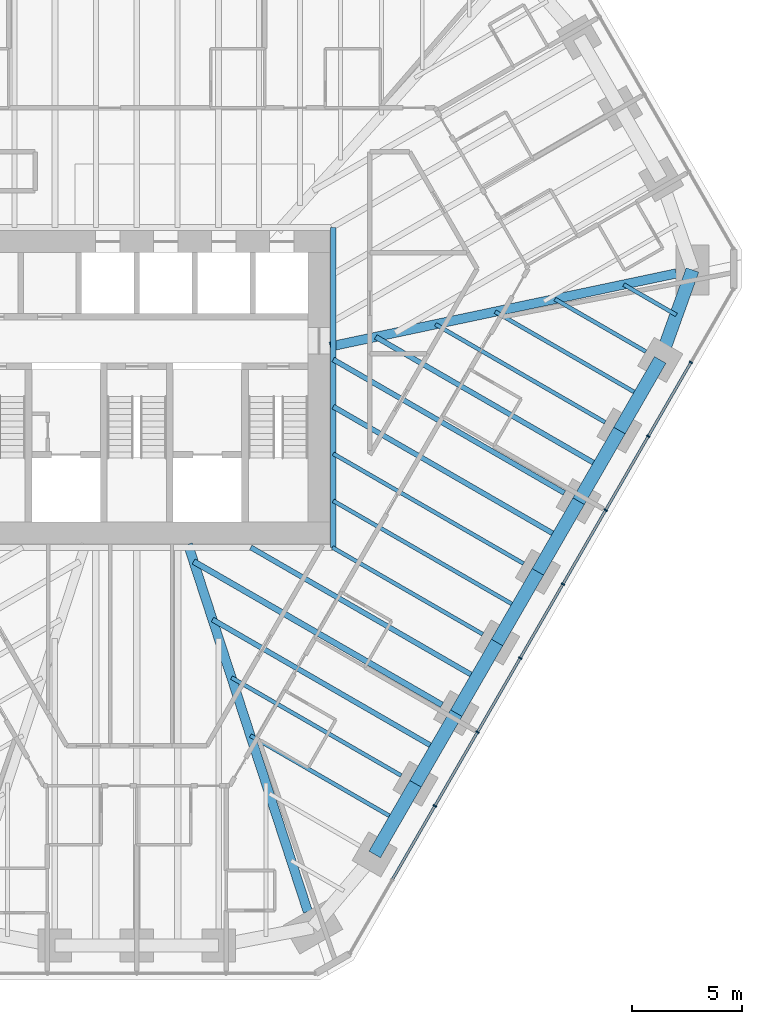
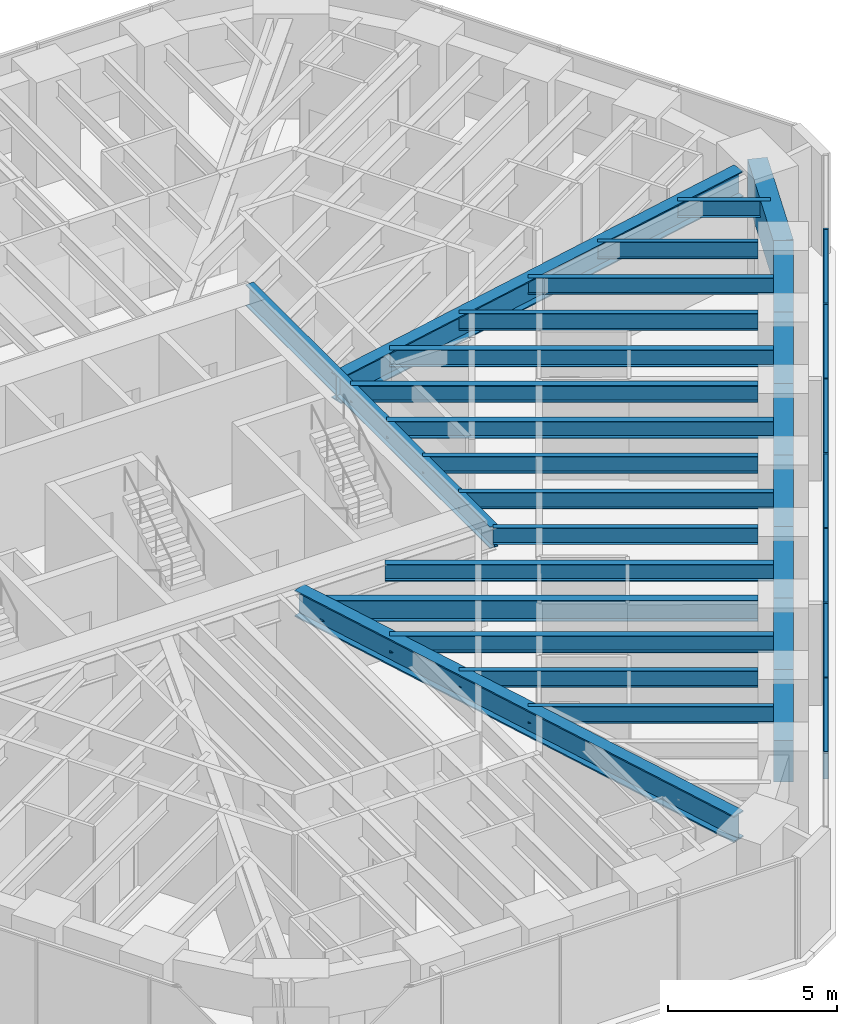
# One storey, part 5 of 17: 26 beams, 14 members, 1 element without a shape of its own.
"""IFC4 building model written with IfcOpenShell, lengths in metres."""

from ifc_helpers import new_model, si_unit, direction, frame, origin, origin_2d, place, context, subcontext, project, spatial, rectangle, i_section, extrude, material, material_profile, profile_set, type_object, element, aggregate, save


model = new_model("IFC4")

# Units and contexts
model_context = context("Model", 3, precision=1e-05, world=origin(), true_north=direction((0.0, 1.0)))
body_context = subcontext(model_context, "Body", "Model", "MODEL_VIEW")
ifc_project = project(units=[si_unit("LENGTHUNIT", "METRE"), si_unit("AREAUNIT", "SQUARE_METRE"), si_unit("VOLUMEUNIT", "CUBIC_METRE"), si_unit("PLANEANGLEUNIT", "RADIAN"), si_unit("MASSUNIT", "GRAM", prefix="KILO")], contexts=[model_context])

# Site, building, storey
site_placement = place(None, origin())
site = spatial("IfcSite", under=ifc_project, at=site_placement, CompositionType="ELEMENT")
building_placement = place(site_placement, origin())
building = spatial("IfcBuilding", under=site, at=building_placement, Name="Sandreach Pilgrim Tower", CompositionType="ELEMENT")
storey_placement = place(building_placement, frame((0.0, 0.0, 217.39990234375)))
storey = spatial("IfcBuildingStorey", under=building, at=storey_placement, Name="L54", CompositionType="ELEMENT", Elevation=217.39990234375)

# Curtain wall, members
ifc_material_1 = material(Name="Aluminium framed curtain wall", Category="aluminium")
curtain_wall_type = type_object("IfcCurtainWallType", Name="Upper hotel tower curtain wall", PredefinedType="NOTDEFINED", material=ifc_material_1)
curtain_wall_placement = place(storey_placement, origin())
curtain_wall = element("IfcCurtainWall", 1, at=curtain_wall_placement, inside=storey, type_object=curtain_wall_type, Name="CW-3 L54 SE", PredefinedType="NOTDEFINED")
ifc_material_2 = material(Name="Aluminium extrusion", Category="aluminium")
ifc_material_profile_1 = material_profile(ifc_material_2, rectangle(XDim=0.06494140625, YDim=0.159912109375, at=origin_2d()), Name="CW-3M 65X160")
ifc_profile_set_1 = profile_set([ifc_material_profile_1], Name="Aluminium extrusion")
member_type_1 = type_object("IfcMemberType", Name="CW-3 mullion", PredefinedType="MULLION", material=ifc_profile_set_1)
member_1_placement = place(storey_placement, frame((25.087890625, 1.13330078125, 0.0), z_axis=(0.0, 0.0, 1.0), x_axis=(-0.5, -0.866025403784, 0.0)))
member_1 = element("IfcMember", 2, at=member_1_placement, type_object=member_type_1, Name="CW-3 mullion 2", PredefinedType="MULLION", context=body_context, shape_type="SweptSolid", body=[
    extrude(rectangle(XDim=0.06494140625, YDim=0.159912109375, at=origin_2d()), origin(), (0.0, 0.0, 1.0), 3.64013671875),
])
member_2_placement = place(storey_placement, frame((23.15576171875, -2.21337890625, 0.0), z_axis=(0.0, 0.0, 1.0), x_axis=(-0.5, -0.866025403784, 0.0)))
member_2 = element("IfcMember", 3, at=member_2_placement, type_object=member_type_1, Name="CW-3 mullion 3", PredefinedType="MULLION", context=body_context, shape_type="SweptSolid", body=[
    extrude(rectangle(XDim=0.06494140625, YDim=0.159912109375, at=origin_2d()), origin(), (0.0, 0.0, 1.0), 3.64013671875),
])
member_3_placement = place(storey_placement, frame((21.223388671875, -5.56005859375, 0.0), z_axis=(0.0, 0.0, 1.0), x_axis=(-0.5, -0.866025403784, 0.0)))
member_3 = element("IfcMember", 4, at=member_3_placement, type_object=member_type_1, Name="CW-3 mullion 4", PredefinedType="MULLION", context=body_context, shape_type="SweptSolid", body=[
    extrude(rectangle(XDim=0.06494140625, YDim=0.159912109375, at=origin_2d()), origin(), (0.0, 0.0, 1.0), 3.64013671875),
])
member_4_placement = place(storey_placement, frame((19.291259765625, -8.90673828125, 0.0), z_axis=(0.0, 0.0, 1.0), x_axis=(-0.5, -0.866025403784, 0.0)))
member_4 = element("IfcMember", 5, at=member_4_placement, type_object=member_type_1, Name="CW-3 mullion 5", PredefinedType="MULLION", context=body_context, shape_type="SweptSolid", body=[
    extrude(rectangle(XDim=0.06494140625, YDim=0.159912109375, at=origin_2d()), origin(), (0.0, 0.0, 1.0), 3.64013671875),
])
member_5_placement = place(storey_placement, frame((17.359130859375, -12.25341796875, 0.0), z_axis=(0.0, 0.0, 1.0), x_axis=(-0.5, -0.866025403784, 0.0)))
member_5 = element("IfcMember", 6, at=member_5_placement, type_object=member_type_1, Name="CW-3 mullion 6", PredefinedType="MULLION", context=body_context, shape_type="SweptSolid", body=[
    extrude(rectangle(XDim=0.06494140625, YDim=0.159912109375, at=origin_2d()), origin(), (0.0, 0.0, 1.0), 3.64013671875),
])
member_6_placement = place(storey_placement, frame((15.4267578125, -15.60009765625, 0.0), z_axis=(0.0, 0.0, 1.0), x_axis=(-0.5, -0.866025403784, 0.0)))
member_6 = element("IfcMember", 7, at=member_6_placement, type_object=member_type_1, Name="CW-3 mullion 7", PredefinedType="MULLION", context=body_context, shape_type="SweptSolid", body=[
    extrude(rectangle(XDim=0.06494140625, YDim=0.159912109375, at=origin_2d()), origin(), (0.0, 0.0, 1.0), 3.64013671875),
])
member_7_placement = place(storey_placement, frame((13.49462890625, -18.94677734375, 0.0), z_axis=(0.0, 0.0, 1.0), x_axis=(-0.5, -0.866025403784, 0.0)))
member_7 = element("IfcMember", 8, at=member_7_placement, type_object=member_type_1, Name="CW-3 mullion 8", PredefinedType="MULLION", context=body_context, shape_type="SweptSolid", body=[
    extrude(rectangle(XDim=0.06494140625, YDim=0.159912109375, at=origin_2d()), origin(), (0.0, 0.0, 1.0), 3.64013671875),
])
ifc_material_3 = material(Name="Aluminium extrusion", Category="aluminium")
ifc_material_profile_2 = material_profile(ifc_material_3, rectangle(XDim=0.1201171875, YDim=0.070068359375, at=origin_2d()), Name="CW-3T 120X70")
ifc_profile_set_2 = profile_set([ifc_material_profile_2], Name="Aluminium extrusion")
member_type_2 = type_object("IfcMemberType", Name="CW-3 transom", PredefinedType="USERDEFINED", material=ifc_profile_set_2)
member_8_placement = place(storey_placement, frame((25.07177734375, 1.105224609375, 3.60498046875), z_axis=(-0.500022797313, -0.86601224135, 0.0), x_axis=(0.86601224135, -0.500022797313, 0.0)))
member_8 = element("IfcMember", 9, at=member_8_placement, type_object=member_type_2, Name="CW-3 head transom 2", ObjectType="TRANSOM", PredefinedType="USERDEFINED", context=body_context, shape_type="SweptSolid", body=[
    extrude(rectangle(XDim=0.1201171875, YDim=0.070068359375, at=origin_2d()), origin(), (0.0, 0.0, 1.0), 3.799560546875),
])
member_9_placement = place(storey_placement, frame((23.139404296875, -2.241455078125, 3.60498046875), z_axis=(-0.499974606132, -0.866040064445, 0.0), x_axis=(0.866040064445, -0.499974606132, 0.0)))
member_9 = element("IfcMember", 10, at=member_9_placement, type_object=member_type_2, Name="CW-3 head transom 3", ObjectType="TRANSOM", PredefinedType="USERDEFINED", context=body_context, shape_type="SweptSolid", body=[
    extrude(rectangle(XDim=0.1201171875, YDim=0.070068359375, at=origin_2d()), origin(), (0.0, 0.0, 1.0), 3.799560546875),
])
member_10_placement = place(storey_placement, frame((21.207275390625, -5.588134765625, 3.60498046875), z_axis=(-0.499974606132, -0.866040064445, 0.0), x_axis=(0.866040064445, -0.499974606132, 0.0)))
member_10 = element("IfcMember", 11, at=member_10_placement, type_object=member_type_2, Name="CW-3 head transom 4", ObjectType="TRANSOM", PredefinedType="USERDEFINED", context=body_context, shape_type="SweptSolid", body=[
    extrude(rectangle(XDim=0.1201171875, YDim=0.070068359375, at=origin_2d()), origin(), (0.0, 0.0, 1.0), 3.799560546875),
])
member_11_placement = place(storey_placement, frame((19.275146484375, -8.934814453125, 3.60498046875), z_axis=(-0.500022797313, -0.86601224135, 0.0), x_axis=(0.86601224135, -0.500022797313, 0.0)))
member_11 = element("IfcMember", 12, at=member_11_placement, type_object=member_type_2, Name="CW-3 head transom 5", ObjectType="TRANSOM", PredefinedType="USERDEFINED", context=body_context, shape_type="SweptSolid", body=[
    extrude(rectangle(XDim=0.1201171875, YDim=0.070068359375, at=origin_2d()), origin(), (0.0, 0.0, 1.0), 3.799560546875),
])
member_12_placement = place(storey_placement, frame((17.3427734375, -12.281494140625, 3.60498046875), z_axis=(-0.499974606132, -0.866040064445, 0.0), x_axis=(0.866040064445, -0.499974606132, 0.0)))
member_12 = element("IfcMember", 13, at=member_12_placement, type_object=member_type_2, Name="CW-3 head transom 6", ObjectType="TRANSOM", PredefinedType="USERDEFINED", context=body_context, shape_type="SweptSolid", body=[
    extrude(rectangle(XDim=0.1201171875, YDim=0.070068359375, at=origin_2d()), origin(), (0.0, 0.0, 1.0), 3.799560546875),
])
member_13_placement = place(storey_placement, frame((15.41064453125, -15.628173828125, 3.60498046875), z_axis=(-0.499974606132, -0.866040064445, 0.0), x_axis=(0.866040064445, -0.499974606132, 0.0)))
member_13 = element("IfcMember", 14, at=member_13_placement, type_object=member_type_2, Name="CW-3 head transom 7", ObjectType="TRANSOM", PredefinedType="USERDEFINED", context=body_context, shape_type="SweptSolid", body=[
    extrude(rectangle(XDim=0.1201171875, YDim=0.070068359375, at=origin_2d()), origin(), (0.0, 0.0, 1.0), 3.799560546875),
])
member_14_placement = place(storey_placement, frame((13.478515625, -18.974853515625, 3.60498046875), z_axis=(-0.500022797313, -0.86601224135, 0.0), x_axis=(0.86601224135, -0.500022797313, 0.0)))
member_14 = element("IfcMember", 15, at=member_14_placement, type_object=member_type_2, Name="CW-3 head transom 8", ObjectType="TRANSOM", PredefinedType="USERDEFINED", context=body_context, shape_type="SweptSolid", body=[
    extrude(rectangle(XDim=0.1201171875, YDim=0.070068359375, at=origin_2d()), origin(), (0.0, 0.0, 1.0), 3.799560546875),
])
aggregate(curtain_wall, [member_1, member_2, member_3, member_4, member_5, member_6, member_7, member_8, member_9, member_10, member_11, member_12, member_13, member_14])

# Beams
ifc_material_4 = material(Name="Steel ASTM A992 Grade 50", Category="steel")
ifc_material_profile_3 = material_profile(ifc_material_4, i_section(OverallWidth=0.2666015625, OverallDepth=0.77978515625, WebThickness=0.0166015625, FlangeThickness=0.030029296875, at=origin_2d()), Name="W30X148")
ifc_profile_set_3 = profile_set([ifc_material_profile_3], Name="Steel ASTM A992 Grade 50")
beam_type_1 = type_object("IfcBeamType", Name="Core edge beam W30X148", PredefinedType="BEAM", material=ifc_profile_set_3)
beam_1_placement = place(storey_placement, frame((8.893310546875, 7.243408203125, 3.250244140625), z_axis=(0.0, -1.0, 0.0), x_axis=(1.0, 0.0, 0.0)))
element("IfcBeam", 16, at=beam_1_placement, inside=storey, type_object=beam_type_1, Name="BM L54 CEE", PredefinedType="BEAM", context=body_context, shape_type="SweptSolid", body=[
    extrude(i_section(OverallWidth=0.2666015625, OverallDepth=0.77978515625, WebThickness=0.0166015625, FlangeThickness=0.030029296875, at=origin_2d()), origin(), (0.0, 0.0, 1.0), 14.48681640625),
])
ifc_material_5 = material(Name="Steel ASTM A992 Grade 50", Category="steel")
ifc_material_profile_4 = material_profile(ifc_material_5, i_section(OverallWidth=0.421630859375, OverallDepth=0.937255859375, WebThickness=0.0224609375, FlangeThickness=0.039794921875, at=origin_2d()), Name="W36X282")
ifc_profile_set_4 = profile_set([ifc_material_profile_4], Name="Steel ASTM A992 Grade 50")
beam_type_2 = type_object("IfcBeamType", Name="Corner girder W36X282", PredefinedType="BEAM", material=ifc_profile_set_4)
beam_2_placement = place(storey_placement, frame((24.422607421875, 5.156494140625, 3.17138671875), z_axis=(-0.978428978804, -0.206583478132, 0.0), x_axis=(0.206583478132, -0.978428978804, 0.0)))
element("IfcBeam", 17, at=beam_2_placement, inside=storey, type_object=beam_type_2, Name="BM L54 CG13", PredefinedType="BEAM", context=body_context, shape_type="SweptSolid", body=[
    extrude(i_section(OverallWidth=0.421630859375, OverallDepth=0.937255859375, WebThickness=0.0224609375, FlangeThickness=0.039794921875, at=origin_2d()), origin(), (0.0, 0.0, 1.0), 16.01806640625),
])
ifc_material_6 = material(Name="Steel ASTM A992 Grade 50", Category="steel")
ifc_material_profile_5 = material_profile(ifc_material_6, i_section(OverallWidth=0.421630859375, OverallDepth=0.95751953125, WebThickness=0.02587890625, FlangeThickness=0.046875, at=origin_2d()), Name="W36X330")
ifc_profile_set_5 = profile_set([ifc_material_profile_5], Name="Steel ASTM A992 Grade 50")
beam_type_3 = type_object("IfcBeamType", Name="Corner girder W36X330", PredefinedType="BEAM", material=ifc_profile_set_5)
beam_3_placement = place(storey_placement, frame((7.745849609375, -23.72900390625, 3.161376953125), z_axis=(-0.310317870968, 0.950632851819, 0.0), x_axis=(-0.950632851819, -0.310317870968, 0.0)))
element("IfcBeam", 18, at=beam_3_placement, inside=storey, type_object=beam_type_3, Name="BM L54 CG22", PredefinedType="BEAM", context=body_context, shape_type="SweptSolid", body=[
    extrude(i_section(OverallWidth=0.421630859375, OverallDepth=0.95751953125, WebThickness=0.02587890625, FlangeThickness=0.046875, at=origin_2d()), origin(), (0.0, 0.0, 1.0), 17.492431640625),
])
ifc_material_7 = material(Name="Steel ASTM A992 Grade 50", Category="steel")
ifc_material_profile_6 = material_profile(ifc_material_7, i_section(OverallWidth=0.1787109375, OverallDepth=0.60205078125, WebThickness=0.010986328125, FlangeThickness=0.014892578125, at=origin_2d()), Name="W24X62")
ifc_profile_set_6 = profile_set([ifc_material_profile_6], Name="Steel ASTM A992 Grade 50")
beam_type_4 = type_object("IfcBeamType", Name="Floor beam W24X62", PredefinedType="BEAM", material=ifc_profile_set_6)
beam_4_placement = place(storey_placement, frame((23.04638671875, 1.6171875, 3.339111328125), z_axis=(-0.86603347311, 0.499986023258, 0.0), x_axis=(-0.499986023258, -0.86603347311, 0.0)))
element("IfcBeam", 19, at=beam_4_placement, inside=storey, type_object=beam_type_4, Name="BM L54 F14", PredefinedType="BEAM", context=body_context, shape_type="SweptSolid", body=[
    extrude(i_section(OverallWidth=0.1787109375, OverallDepth=0.60205078125, WebThickness=0.010986328125, FlangeThickness=0.014892578125, at=origin_2d()), origin(), (0.0, 0.0, 1.0), 4.757568359375),
])
beam_5_placement = place(storey_placement, frame((21.2001953125, -1.58056640625, 3.339111328125), z_axis=(-0.866027448082, 0.499996459156, 0.0), x_axis=(-0.499996459156, -0.866027448082, 0.0)))
element("IfcBeam", 20, at=beam_5_placement, inside=storey, type_object=beam_type_4, Name="BM L54 F15", PredefinedType="BEAM", context=body_context, shape_type="SweptSolid", body=[
    extrude(i_section(OverallWidth=0.1787109375, OverallDepth=0.60205078125, WebThickness=0.010986328125, FlangeThickness=0.014892578125, at=origin_2d()), origin(), (0.0, 0.0, 1.0), 8.86962890625),
])
beam_6_placement = place(storey_placement, frame((17.507568359375, -7.97607421875, 3.339111328125), z_axis=(-0.866027815265, 0.499995823171, 0.0), x_axis=(-0.499995823171, -0.866027815265, 0.0)))
element("IfcBeam", 21, at=beam_6_placement, inside=storey, type_object=beam_type_4, Name="BM L54 F17", PredefinedType="BEAM", context=body_context, shape_type="SweptSolid", body=[
    extrude(i_section(OverallWidth=0.1787109375, OverallDepth=0.60205078125, WebThickness=0.010986328125, FlangeThickness=0.014892578125, at=origin_2d()), origin(), (0.0, 0.0, 1.0), 9.94677734375),
])
beam_7_placement = place(storey_placement, frame((15.661376953125, -11.173828125, 3.339111328125), z_axis=(-0.866038711524, 0.49997694961, 0.0), x_axis=(-0.49997694961, -0.866038711524, 0.0)))
element("IfcBeam", 22, at=beam_7_placement, inside=storey, type_object=beam_type_4, Name="BM L54 F18", PredefinedType="BEAM", context=body_context, shape_type="SweptSolid", body=[
    extrude(i_section(OverallWidth=0.1787109375, OverallDepth=0.60205078125, WebThickness=0.010986328125, FlangeThickness=0.014892578125, at=origin_2d()), origin(), (0.0, 0.0, 1.0), 7.861083984375),
])
beam_8_placement = place(storey_placement, frame((11.96875, -17.569580078125, 3.339111328125), z_axis=(-0.866020566617, 0.500008378126, 0.0), x_axis=(-0.500008378126, -0.866020566617, 0.0)))
element("IfcBeam", 23, at=beam_8_placement, inside=storey, type_object=beam_type_4, Name="BM L54 F20", PredefinedType="BEAM", context=body_context, shape_type="SweptSolid", body=[
    extrude(i_section(OverallWidth=0.1787109375, OverallDepth=0.60205078125, WebThickness=0.010986328125, FlangeThickness=0.014892578125, at=origin_2d()), origin(), (0.0, 0.0, 1.0), 8.869384765625),
])
beam_9_placement = place(storey_placement, frame((24.42626953125, 3.27685546875, 3.339111328125), z_axis=(-0.866046803606, 0.49996293259, 0.0), x_axis=(-0.49996293259, -0.866046803606, 0.0)))
element("IfcBeam", 24, at=beam_9_placement, inside=storey, type_object=beam_type_4, Name="BM L54 FM13", PredefinedType="BEAM", context=body_context, shape_type="SweptSolid", body=[
    extrude(i_section(OverallWidth=0.1787109375, OverallDepth=0.60205078125, WebThickness=0.010986328125, FlangeThickness=0.014892578125, at=origin_2d()), origin(), (0.0, 0.0, 1.0), 2.753662109375),
])
beam_10_placement = place(storey_placement, frame((22.772705078125, -0.356689453125, 3.339111328125), z_axis=(-0.866029704776, 0.49999255039, 0.0), x_axis=(-0.49999255039, -0.866029704776, 0.0)))
element("IfcBeam", 25, at=beam_10_placement, inside=storey, type_object=beam_type_4, Name="BM L54 FM14", PredefinedType="BEAM", context=body_context, shape_type="SweptSolid", body=[
    extrude(i_section(OverallWidth=0.1787109375, OverallDepth=0.60205078125, WebThickness=0.010986328125, FlangeThickness=0.014892578125, at=origin_2d()), origin(), (0.0, 0.0, 1.0), 7.5634765625),
])
beam_11_placement = place(storey_placement, frame((17.23388671875, -9.949951171875, 3.339111328125), z_axis=(-0.866025593094, 0.499999672107, 0.0), x_axis=(-0.499999672107, -0.866025593094, 0.0)))
element("IfcBeam", 26, at=beam_11_placement, inside=storey, type_object=beam_type_4, Name="BM L54 FM17", PredefinedType="BEAM", context=body_context, shape_type="SweptSolid", body=[
    extrude(i_section(OverallWidth=0.1787109375, OverallDepth=0.60205078125, WebThickness=0.010986328125, FlangeThickness=0.014892578125, at=origin_2d()), origin(), (0.0, 0.0, 1.0), 9.630859375),
])
beam_12_placement = place(storey_placement, frame((11.6953125, -19.54345703125, 3.339111328125), z_axis=(-0.866029704776, 0.49999255039, 0.0), x_axis=(-0.49999255039, -0.866029704776, 0.0)))
element("IfcBeam", 27, at=beam_12_placement, inside=storey, type_object=beam_type_4, Name="BM L54 FM20", PredefinedType="BEAM", context=body_context, shape_type="SweptSolid", body=[
    extrude(i_section(OverallWidth=0.1787109375, OverallDepth=0.60205078125, WebThickness=0.010986328125, FlangeThickness=0.014892578125, at=origin_2d()), origin(), (0.0, 0.0, 1.0), 7.5634765625),
])
ifc_material_8 = material(Name="Steel ASTM A992 Grade 50", Category="steel")
ifc_material_profile_7 = material_profile(ifc_material_8, i_section(OverallWidth=0.23046875, OverallDepth=0.6171875, WebThickness=0.01318359375, FlangeThickness=0.022216796875, at=origin_2d()), Name="W24X94")
ifc_profile_set_7 = profile_set([ifc_material_profile_7], Name="Steel ASTM A992 Grade 50")
beam_type_5 = type_object("IfcBeamType", Name="Floor beam W24X94", PredefinedType="BEAM", material=ifc_profile_set_7)
beam_13_placement = place(storey_placement, frame((19.353759765625, -4.7783203125, 3.33154296875), z_axis=(-0.866026713419, 0.49999773164, 0.0), x_axis=(-0.49999773164, -0.866026713419, 0.0)))
element("IfcBeam", 28, at=beam_13_placement, inside=storey, type_object=beam_type_5, Name="BM L54 F16", PredefinedType="BEAM", context=body_context, shape_type="SweptSolid", body=[
    extrude(i_section(OverallWidth=0.23046875, OverallDepth=0.6171875, WebThickness=0.01318359375, FlangeThickness=0.022216796875, at=origin_2d()), origin(), (0.0, 0.0, 1.0), 12.07861328125),
])
beam_14_placement = place(storey_placement, frame((20.926513671875, -3.554443359375, 3.33154296875), z_axis=(-0.866026454974, 0.499998179282, 0.0), x_axis=(-0.499998179282, -0.866026454974, 0.0)))
element("IfcBeam", 29, at=beam_14_placement, inside=storey, type_object=beam_type_5, Name="BM L54 FM15", PredefinedType="BEAM", context=body_context, shape_type="SweptSolid", body=[
    extrude(i_section(OverallWidth=0.23046875, OverallDepth=0.6171875, WebThickness=0.01318359375, FlangeThickness=0.022216796875, at=origin_2d()), origin(), (0.0, 0.0, 1.0), 11.67578125),
])
beam_15_placement = place(storey_placement, frame((19.080322265625, -6.752197265625, 3.33154296875), z_axis=(-0.866030053141, 0.499991946992, 0.0), x_axis=(-0.499991946992, -0.866030053141, 0.0)))
element("IfcBeam", 30, at=beam_15_placement, inside=storey, type_object=beam_type_5, Name="BM L54 FM16", PredefinedType="BEAM", context=body_context, shape_type="SweptSolid", body=[
    extrude(i_section(OverallWidth=0.23046875, OverallDepth=0.6171875, WebThickness=0.01318359375, FlangeThickness=0.022216796875, at=origin_2d()), origin(), (0.0, 0.0, 1.0), 11.762939453125),
])
beam_16_placement = place(storey_placement, frame((15.3876953125, -13.14794921875, 3.33154296875), z_axis=(-0.866022050506, 0.500005808004, 0.0), x_axis=(-0.500005808004, -0.866022050506, 0.0)))
element("IfcBeam", 31, at=beam_16_placement, inside=storey, type_object=beam_type_5, Name="BM L54 FM18", PredefinedType="BEAM", context=body_context, shape_type="SweptSolid", body=[
    extrude(i_section(OverallWidth=0.23046875, OverallDepth=0.6171875, WebThickness=0.01318359375, FlangeThickness=0.022216796875, at=origin_2d()), origin(), (0.0, 0.0, 1.0), 11.808837890625),
])
beam_17_placement = place(storey_placement, frame((13.54150390625, -16.345703125, 3.33154296875), z_axis=(-0.866026454974, 0.499998179282, 0.0), x_axis=(-0.499998179282, -0.866026454974, 0.0)))
element("IfcBeam", 32, at=beam_17_placement, inside=storey, type_object=beam_type_5, Name="BM L54 FM19", PredefinedType="BEAM", context=body_context, shape_type="SweptSolid", body=[
    extrude(i_section(OverallWidth=0.23046875, OverallDepth=0.6171875, WebThickness=0.01318359375, FlangeThickness=0.022216796875, at=origin_2d()), origin(), (0.0, 0.0, 1.0), 11.67578125),
])
ifc_material_9 = material(Name="Steel ASTM A992 Grade 50", Category="steel")
ifc_material_profile_8 = material_profile(ifc_material_9, i_section(OverallWidth=0.2666015625, OverallDepth=0.761962890625, WebThickness=0.014404296875, FlangeThickness=0.021484375, at=origin_2d()), Name="W30X116")
ifc_profile_set_8 = profile_set([ifc_material_profile_8], Name="Steel ASTM A992 Grade 50")
beam_type_6 = type_object("IfcBeamType", Name="Floor beam W30X116", PredefinedType="BEAM", material=ifc_profile_set_8)
beam_18_placement = place(storey_placement, frame((13.815185546875, -14.371826171875, 3.259033203125), z_axis=(-0.866025240073, 0.500000283557, 0.0), x_axis=(-0.500000283557, -0.866025240073, 0.0)))
element("IfcBeam", 33, at=beam_18_placement, inside=storey, type_object=beam_type_6, Name="BM L54 F19", PredefinedType="BEAM", context=body_context, shape_type="SweptSolid", body=[
    extrude(i_section(OverallWidth=0.2666015625, OverallDepth=0.761962890625, WebThickness=0.014404296875, FlangeThickness=0.021484375, at=origin_2d()), origin(), (0.0, 0.0, 1.0), 12.98193359375),
])
ifc_material_10 = material(Name="Concrete 10000 psi", Category="concrete")
ifc_material_profile_9 = material_profile(ifc_material_10, rectangle(XDim=0.60009765625, YDim=1.5, at=origin_2d()), Name="RC600X1500")
ifc_profile_set_9 = profile_set([ifc_material_profile_9], Name="Concrete 10000 psi")
beam_type_7 = type_object("IfcBeamType", Name="Spandrel beam RC600X1500", PredefinedType="SPANDREL", material=ifc_profile_set_9)
beam_19_placement = place(storey_placement, frame((25.156494140625, 5.311279296875, 2.89013671875), z_axis=(-0.337863470932, -0.941195131208, 0.0), x_axis=(0.941195131208, -0.337863470932, 0.0)))
element("IfcBeam", 34, at=beam_19_placement, inside=storey, type_object=beam_type_7, Name="BM L54 SP13", PredefinedType="SPANDREL", context=body_context, shape_type="SweptSolid", body=[
    extrude(rectangle(XDim=0.60009765625, YDim=1.5, at=origin_2d()), origin(), (0.0, 0.0, 1.0), 4.3232421875),
])
for number, where, z_axis, x_axis, name in (
    (35, (23.69580078125, 1.2421875, 2.89013671875), (-0.499993363642, -0.866029235253, 0.0), (0.866029235253, -0.499993363642, 0.0), "BM L54 SP14"),
    (36, (21.849609375, -1.95556640625, 2.89013671875), (-0.499993363642, -0.866029235253, 0.0), (0.866029235253, -0.499993363642, 0.0), "BM L54 SP15"),
    (37, (20.00341796875, -5.1533203125, 2.89013671875), (-0.499993363642, -0.866029235253, 0.0), (0.866029235253, -0.499993363642, 0.0), "BM L54 SP16"),
):
    element("IfcBeam", number, at=place(storey_placement, frame(where, z_axis=z_axis, x_axis=x_axis)), inside=storey, type_object=beam_type_7, Name=name, PredefinedType="SPANDREL", context=body_context, shape_type="SweptSolid", body=[
        extrude(rectangle(XDim=0.60009765625, YDim=1.5, at=origin_2d()), origin(), (0.0, 0.0, 1.0), 3.6923828125),
    ])
for number, where, z_axis, x_axis, name in (
    (38, (18.1572265625, -8.35107421875, 2.89013671875), (-0.500042951019, -0.866000604582, 0.0), (0.866000604582, -0.500042951019, 0.0), "BM L54 SP17"),
    (39, (16.310791015625, -11.548828125, 2.89013671875), (-0.49996473481, -0.866045763194, 0.0), (0.866045763194, -0.49996473481, 0.0), "BM L54 SP18"),
):
    element("IfcBeam", number, at=place(storey_placement, frame(where, z_axis=z_axis, x_axis=x_axis)), inside=storey, type_object=beam_type_7, Name=name, PredefinedType="SPANDREL", context=body_context, shape_type="SweptSolid", body=[
        extrude(rectangle(XDim=0.60009765625, YDim=1.5, at=origin_2d()), origin(), (0.0, 0.0, 1.0), 3.692626953125),
    ])
for number, where, z_axis, x_axis, name in (
    (40, (14.464599609375, -14.746826171875, 2.89013671875), (-0.499993363642, -0.866029235253, 0.0), (0.866029235253, -0.499993363642, 0.0), "BM L54 SP19"),
    (41, (12.618408203125, -17.944580078125, 2.89013671875), (-0.499993363642, -0.866029235253, 0.0), (0.866029235253, -0.499993363642, 0.0), "BM L54 SP20"),
):
    element("IfcBeam", number, at=place(storey_placement, frame(where, z_axis=z_axis, x_axis=x_axis)), inside=storey, type_object=beam_type_7, Name=name, PredefinedType="SPANDREL", context=body_context, shape_type="SweptSolid", body=[
        extrude(rectangle(XDim=0.60009765625, YDim=1.5, at=origin_2d()), origin(), (0.0, 0.0, 1.0), 3.6923828125),
    ])

save(model, "model.ifc")
